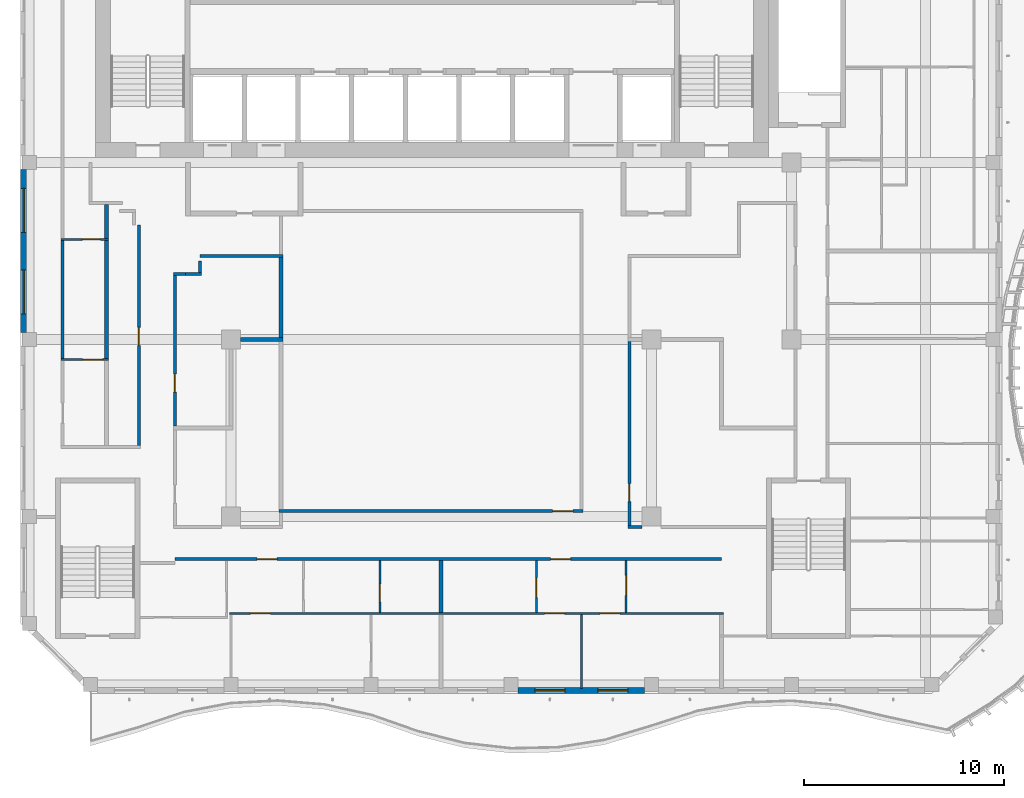
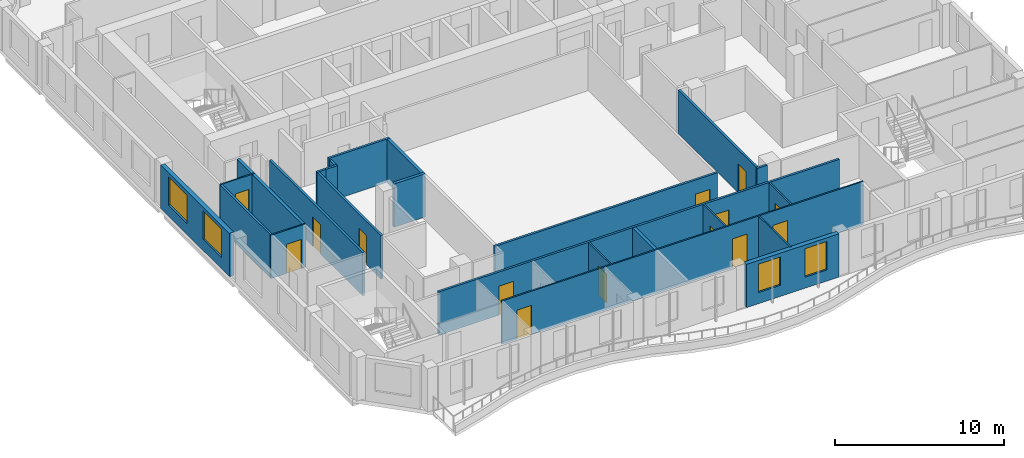
# One storey, part 3 of 18: 25 walls, 14 doors, 4 windows, 18 openings.
"""IFC4 building model written with IfcOpenShell, lengths in metres."""

from ifc_helpers import new_model, si_unit, direction, frame, frame_2d, origin, place, context, subcontext, project, spatial, rectangle, extrude, source, transform, mapped, material, layer, layer_set, type_object, element, fill, save


model = new_model("IFC4")

# Units and contexts
model_context = context("Model", 3, precision=1e-05, world=origin(), true_north=direction((0.0, 1.0)))
body_context = subcontext(model_context, "Body", "Model", "MODEL_VIEW")
ifc_project = project(units=[si_unit("LENGTHUNIT", "METRE"), si_unit("AREAUNIT", "SQUARE_METRE"), si_unit("VOLUMEUNIT", "CUBIC_METRE"), si_unit("PLANEANGLEUNIT", "RADIAN"), si_unit("MASSUNIT", "GRAM", prefix="KILO")], contexts=[model_context])

# Site, building, storey
site_placement = place(None, origin())
site = spatial("IfcSite", under=ifc_project, at=site_placement, CompositionType="ELEMENT")
building_placement = place(site_placement, origin())
building = spatial("IfcBuilding", under=site, at=building_placement, Name="Kilnfold Tower and Market Hall", CompositionType="ELEMENT")
storey_placement = place(building_placement, frame((0.0, 0.0, 256.0)))
storey = spatial("IfcBuildingStorey", under=building, at=storey_placement, Name="L62", CompositionType="ELEMENT", Elevation=256.0)

# Wall
ifc_material_1 = material(Name="Gypsum board on steel studs", Category="steel")
ifc_layer_1 = layer(ifc_material_1, 0.14990234375)
ifc_layer_set_1 = layer_set([ifc_layer_1], Name="Gypsum board on steel studs")
wall_type_1 = type_object("IfcWallType", Name="WALL CORRIDOR 150", PredefinedType="PARTITIONING", material=ifc_layer_set_1)
wall_1_placement = place(storey_placement, frame((-17.39990234375, -1.791015625, 0.0), z_axis=(0.0, 0.0, 1.0), x_axis=(0.0, 1.0, 0.0)))
element("IfcWall", 1, at=wall_1_placement, inside=storey, type_object=wall_type_1, Name="Partition LY38.3", PredefinedType="PARTITIONING", context=body_context, shape_type="SweptSolid", body=[
    extrude(rectangle(XDim=5.925048828125, YDim=0.14990234375, at=frame_2d((2.96240234375, 0.0))), origin(), (0.0, 0.0, 1.0), 3.1201171875),
])

# Wall, openings, doors
wall_2_placement = place(storey_placement, frame((-11.800048828125, -11.800048828125, 0.0), z_axis=(0.0, 0.0, 1.0), x_axis=(1.0, 0.0, 0.0)))
wall_2 = element("IfcWall", 2, at=wall_2_placement, inside=storey, type_object=wall_type_1, Name="Partition LY38.9", PredefinedType="PARTITIONING", context=body_context, shape_type="SweptSolid", body=[
    extrude(rectangle(XDim=27.31005859375, YDim=0.14990234375, at=frame_2d((13.655029296875, 0.0))), origin(), (0.0, 0.0, 1.0), 3.1201171875),
])
opening_1_placement = place(wall_2_placement, frame((4.10400390625, 0.0, 0.0)))
opening_1 = element("IfcOpeningElement", 3, at=opening_1_placement, cuts=wall_2, Name="Opening D1", PredefinedType="OPENING", context=body_context, shape_type="SweptSolid", body=[
    extrude(rectangle(XDim=1.0, YDim=2.10009765625, at=frame_2d((0.5, 1.050048828125))), frame((0.0, 0.0849609375, 0.0), z_axis=(0.0, -1.0, 0.0), x_axis=(1.0, 0.0, 0.0)), (0.0, 0.0, 1.0), 0.169921875),
])
opening_2_placement = place(wall_2_placement, frame((18.76708984375, 0.0, 0.0)))
opening_2 = element("IfcOpeningElement", 4, at=opening_2_placement, cuts=wall_2, Name="Opening D1", PredefinedType="OPENING", context=body_context, shape_type="SweptSolid", body=[
    extrude(rectangle(XDim=1.0, YDim=2.10009765625, at=frame_2d((0.5, 1.050048828125))), frame((0.0, 0.0849609375, 0.0), z_axis=(0.0, -1.0, 0.0), x_axis=(1.0, 0.0, 0.0)), (0.0, 0.0, 1.0), 0.169921875),
])
ifc_material_2 = material(Name="Timber veneer door leaf in steel frame", Category="steel")
door_type_1 = type_object("IfcDoorType", Name="DOOR ENTRY 1000 X2100", OperationType="NOTDEFINED", PredefinedType="DOOR", material=ifc_material_2)
door_1_placement = place(opening_1_placement, origin())
door_1 = element("IfcDoor", 5, at=door_1_placement, inside=storey, type_object=door_type_1, Name="Door D1", OperationType="SINGLE_SWING_RIGHT", OverallHeight=2.10009765625, OverallWidth=1.0, PredefinedType="DOOR", context=body_context, shape_type="SweptSolid", body=[
    extrude(rectangle(XDim=1.0, YDim=2.10009765625, at=frame_2d((0.5, 1.050048828125))), frame((0.0, 0.02490234375, 0.0), z_axis=(0.0, -1.0, 0.0), x_axis=(1.0, 0.0, 0.0)), (0.0, 0.0, 1.0), 0.050048828125),
])
fill(opening_1, door_1)
door_2_placement = place(opening_2_placement, origin())
door_2 = element("IfcDoor", 6, at=door_2_placement, inside=storey, type_object=door_type_1, Name="Door D1", OperationType="SINGLE_SWING_RIGHT", OverallHeight=2.10009765625, OverallWidth=1.0, PredefinedType="DOOR", context=body_context, shape_type="SweptSolid", body=[
    extrude(rectangle(XDim=1.0, YDim=2.10009765625, at=frame_2d((0.5, 1.050048828125))), frame((0.0, 0.02490234375, 0.0), z_axis=(0.0, -1.0, 0.0), x_axis=(1.0, 0.0, 0.0)), (0.0, 0.0, 1.0), 0.050048828125),
])
fill(opening_2, door_2)

# Wall, opening, door
wall_3_placement = place(storey_placement, frame((-13.60009765625, 4.87890625, 0.0), z_axis=(0.0, 0.0, 1.0), x_axis=(0.0, -1.0, 0.0)))
wall_3 = element("IfcWall", 7, at=wall_3_placement, inside=storey, type_object=wall_type_1, Name="Partition LY38.28", PredefinedType="PARTITIONING", context=body_context, shape_type="SweptSolid", body=[
    extrude(rectangle(XDim=11.00390625, YDim=0.14990234375, at=frame_2d((5.501953125, 0.0))), origin(), (0.0, 0.0, 1.0), 3.1201171875),
])
opening_3_placement = place(wall_3_placement, frame((5.10205078125, 0.0, 0.0)))
opening_3 = element("IfcOpeningElement", 8, at=opening_3_placement, cuts=wall_3, Name="Opening D2", PredefinedType="OPENING", context=body_context, shape_type="SweptSolid", body=[
    extrude(rectangle(XDim=0.89990234375, YDim=2.10009765625, at=frame_2d((0.449951171875, 1.050048828125))), frame((0.0, 0.0849609375, 0.0), z_axis=(0.0, -1.0, 0.0), x_axis=(1.0, 0.0, 0.0)), (0.0, 0.0, 1.0), 0.169921875),
])
ifc_material_3 = material(Name="Timber veneer door leaf in steel frame", Category="steel")
door_type_2 = type_object("IfcDoorType", Name="DOOR ROOM 900 X2100", OperationType="NOTDEFINED", PredefinedType="DOOR", material=ifc_material_3)
door_3_placement = place(opening_3_placement, origin())
door_3 = element("IfcDoor", 9, at=door_3_placement, inside=storey, type_object=door_type_2, Name="Door D2", OperationType="SINGLE_SWING_RIGHT", OverallHeight=2.10009765625, OverallWidth=0.89990234375, PredefinedType="DOOR", context=body_context, shape_type="SweptSolid", body=[
    extrude(rectangle(XDim=0.89990234375, YDim=2.10009765625, at=frame_2d((0.449951171875, 1.050048828125))), frame((0.0, 0.02490234375, 0.0), z_axis=(0.0, -1.0, 0.0), x_axis=(1.0, 0.0, 0.0)), (0.0, 0.0, 1.0), 0.050048828125),
])
fill(opening_3, door_3)

# Walls
wall_4_placement = place(storey_placement, frame((-10.5458984375, 3.35009765625, 0.0), z_axis=(0.0, 0.0, 1.0), x_axis=(1.0, 0.0, 0.0)))
element("IfcWall", 10, at=wall_4_placement, inside=storey, type_object=wall_type_1, Name="Partition LY38.31", PredefinedType="PARTITIONING", context=body_context, shape_type="SweptSolid", body=[
    extrude(rectangle(XDim=4.14599609375, YDim=0.14990234375, at=frame_2d((2.072998046875, 0.0))), origin(), (0.0, 0.0, 1.0), 3.1201171875),
])
wall_5_placement = place(storey_placement, frame((-10.5439453125, 2.52294921875, 0.0), z_axis=(0.0, 0.0, 1.0), x_axis=(0.0, 1.0, 0.0)))
element("IfcWall", 11, at=wall_5_placement, inside=storey, type_object=wall_type_1, Name="Partition LY38.32", PredefinedType="PARTITIONING", context=body_context, shape_type="SweptSolid", body=[
    extrude(rectangle(XDim=0.570068359375, YDim=0.14990234375, at=frame_2d((0.28515625, 0.0))), origin(), (0.0, 0.0, 1.0), 3.1201171875),
])
wall_6_placement = place(storey_placement, frame((-11.261962890625, 2.447998046875, 0.0), z_axis=(0.0, 0.0, 1.0), x_axis=(1.0, 0.0, 0.0)))
element("IfcWall", 12, at=wall_6_placement, inside=storey, type_object=wall_type_1, Name="Partition LY38.33", PredefinedType="PARTITIONING", context=body_context, shape_type="SweptSolid", body=[
    extrude(rectangle(XDim=0.79296875, YDim=0.14990234375, at=frame_2d((0.396484375, 0.0))), origin(), (0.0, 0.0, 1.0), 3.1201171875),
])
wall_7_placement = place(storey_placement, frame((-11.875, 2.449951171875, 0.0), z_axis=(0.0, 0.0, 1.0), x_axis=(1.0, 0.0, 0.0)))
element("IfcWall", 13, at=wall_7_placement, inside=storey, type_object=wall_type_1, Name="Partition LY38.34", PredefinedType="PARTITIONING", context=body_context, shape_type="SweptSolid", body=[
    extrude(rectangle(XDim=0.613037109375, YDim=0.14990234375, at=frame_2d((0.306640625, 0.0))), origin(), (0.0, 0.0, 1.0), 3.1201171875),
])

# Wall, opening, door
wall_8_placement = place(storey_placement, frame((-11.800048828125, -5.159912109375, 0.0), z_axis=(0.0, 0.0, 1.0), x_axis=(0.0, 1.0, 0.0)))
wall_8 = element("IfcWall", 14, at=wall_8_placement, inside=storey, type_object=wall_type_1, Name="Partition LY38.35", PredefinedType="PARTITIONING", context=body_context, shape_type="SweptSolid", body=[
    extrude(rectangle(XDim=7.534912109375, YDim=0.14990234375, at=frame_2d((3.767578125, 0.0))), origin(), (0.0, 0.0, 1.0), 3.1201171875),
])
opening_4_placement = place(wall_8_placement, frame((1.7080078125, 0.0, 0.0)))
opening_4 = element("IfcOpeningElement", 15, at=opening_4_placement, cuts=wall_8, Name="Opening D2", PredefinedType="OPENING", context=body_context, shape_type="SweptSolid", body=[
    extrude(rectangle(XDim=0.89990234375, YDim=2.10009765625, at=frame_2d((0.449951171875, 1.050048828125))), frame((0.0, 0.0849609375, 0.0), z_axis=(0.0, -1.0, 0.0), x_axis=(1.0, 0.0, 0.0)), (0.0, 0.0, 1.0), 0.169921875),
])
door_4_placement = place(opening_4_placement, origin())
door_4 = element("IfcDoor", 16, at=door_4_placement, inside=storey, type_object=door_type_2, Name="Door D2", OperationType="SINGLE_SWING_RIGHT", OverallHeight=2.10009765625, OverallWidth=0.89990234375, PredefinedType="DOOR", context=body_context, shape_type="SweptSolid", body=[
    extrude(rectangle(XDim=0.89990234375, YDim=2.10009765625, at=frame_2d((0.449951171875, 1.050048828125))), frame((0.0, 0.02490234375, 0.0), z_axis=(0.0, -1.0, 0.0), x_axis=(1.0, 0.0, 0.0)), (0.0, 0.0, 1.0), 0.050048828125),
])
fill(opening_4, door_4)

wall_9_placement = place(storey_placement, frame((10.89990234375, -10.125, 0.0), z_axis=(0.0, 0.0, 1.0), x_axis=(0.0, 1.0, 0.0)))
wall_9 = element("IfcWall", 17, at=wall_9_placement, inside=storey, type_object=wall_type_1, Name="Partition LY38.41", PredefinedType="PARTITIONING", context=body_context, shape_type="SweptSolid", body=[
    extrude(rectangle(XDim=9.201904296875, YDim=0.14990234375, at=frame_2d((4.60107421875, 0.0))), origin(), (0.0, 0.0, 1.0), 3.1201171875),
])
opening_5_placement = place(wall_9_placement, frame((1.199951171875, 0.0, 0.0)))
opening_5 = element("IfcOpeningElement", 18, at=opening_5_placement, cuts=wall_9, Name="Opening D2", PredefinedType="OPENING", context=body_context, shape_type="SweptSolid", body=[
    extrude(rectangle(XDim=0.89990234375, YDim=2.10009765625, at=frame_2d((0.449951171875, 1.050048828125))), frame((0.0, 0.0849609375, 0.0), z_axis=(0.0, -1.0, 0.0), x_axis=(1.0, 0.0, 0.0)), (0.0, 0.0, 1.0), 0.169921875),
])
door_5_placement = place(opening_5_placement, origin())
door_5 = element("IfcDoor", 19, at=door_5_placement, inside=storey, type_object=door_type_2, Name="Door D2", OperationType="SINGLE_SWING_LEFT", OverallHeight=2.10009765625, OverallWidth=0.89990234375, PredefinedType="DOOR", context=body_context, shape_type="SweptSolid", body=[
    extrude(rectangle(XDim=0.89990234375, YDim=2.10009765625, at=frame_2d((0.449951171875, 1.050048828125))), frame((0.0, 0.02490234375, 0.0), z_axis=(0.0, -1.0, 0.0), x_axis=(1.0, 0.0, 0.0)), (0.0, 0.0, 1.0), 0.050048828125),
])
fill(opening_5, door_5)

# Wall
wall_10_placement = place(storey_placement, frame((10.824951171875, -10.199951171875, 0.0), z_axis=(0.0, 0.0, 1.0), x_axis=(1.0, 0.0, 0.0)))
element("IfcWall", 20, at=wall_10_placement, inside=storey, type_object=wall_type_1, Name="Partition LY38.43", PredefinedType="PARTITIONING", context=body_context, shape_type="SweptSolid", body=[
    extrude(rectangle(XDim=0.699951171875, YDim=0.14990234375, at=frame_2d((0.35009765625, 0.0))), origin(), (0.0, 0.0, 1.0), 3.1201171875),
])

# Wall, opening, door
wall_11_placement = place(storey_placement, frame((8.574951171875, -9.39990234375, 0.0), z_axis=(0.0, 0.0, 1.0), x_axis=(-1.0, 0.0, 0.0)))
wall_11 = element("IfcWall", 21, at=wall_11_placement, inside=storey, type_object=wall_type_1, Name="Partition LY38.51", PredefinedType="PARTITIONING", context=body_context, shape_type="SweptSolid", body=[
    extrude(rectangle(XDim=15.175048828125, YDim=0.14990234375, at=frame_2d((7.58740234375, 0.0))), origin(), (0.0, 0.0, 1.0), 3.1201171875),
])
opening_6_placement = place(wall_11_placement, frame((0.501953125, 0.0, 0.0)))
opening_6 = element("IfcOpeningElement", 22, at=opening_6_placement, cuts=wall_11, Name="Opening D1", PredefinedType="OPENING", context=body_context, shape_type="SweptSolid", body=[
    extrude(rectangle(XDim=1.0, YDim=2.10009765625, at=frame_2d((0.5, 1.050048828125))), frame((0.0, 0.0849609375, 0.0), z_axis=(0.0, -1.0, 0.0), x_axis=(1.0, 0.0, 0.0)), (0.0, 0.0, 1.0), 0.169921875),
])
door_6_placement = place(opening_6_placement, origin())
door_6 = element("IfcDoor", 23, at=door_6_placement, inside=storey, type_object=door_type_1, Name="Door D1", OperationType="SINGLE_SWING_LEFT", OverallHeight=2.10009765625, OverallWidth=1.0, PredefinedType="DOOR", context=body_context, shape_type="SweptSolid", body=[
    extrude(rectangle(XDim=1.0, YDim=2.10009765625, at=frame_2d((0.5, 1.050048828125))), frame((0.0, 0.02490234375, 0.0), z_axis=(0.0, -1.0, 0.0), x_axis=(1.0, 0.0, 0.0)), (0.0, 0.0, 1.0), 0.050048828125),
])
fill(opening_6, door_6)

ifc_material_4 = material(Name="Gypsum board on steel studs", Category="steel")
ifc_layer_2 = layer(ifc_material_4, 0.10009765625)
ifc_layer_set_2 = layer_set([ifc_layer_2], Name="Gypsum board on steel studs")
wall_type_2 = type_object("IfcWallType", Name="WALL PARTITION 100", PredefinedType="PARTITIONING", material=ifc_layer_set_2)
wall_12_placement = place(storey_placement, frame((-15.10009765625, -1.8310546875, 0.0), z_axis=(0.0, 0.0, 1.0), x_axis=(-1.0, 0.0, 0.0)))
wall_12 = element("IfcWall", 24, at=wall_12_placement, inside=storey, type_object=wall_type_2, Name="Partition LY38.54", PredefinedType="PARTITIONING", context=body_context, shape_type="SweptSolid", body=[
    extrude(rectangle(XDim=2.372802734375, YDim=0.10009765625, at=frame_2d((1.1865234375, 0.0))), origin(), (0.0, 0.0, 1.0), 3.1201171875),
])
opening_7_placement = place(wall_12_placement, frame((0.30810546875, 0.0, 0.0)))
opening_7 = element("IfcOpeningElement", 25, at=opening_7_placement, cuts=wall_12, Name="Opening D1", PredefinedType="OPENING", context=body_context, shape_type="SweptSolid", body=[
    extrude(rectangle(XDim=1.0, YDim=2.10009765625, at=frame_2d((0.5, 1.050048828125))), frame((0.0, 0.06005859375, 0.0), z_axis=(0.0, -1.0, 0.0), x_axis=(1.0, 0.0, 0.0)), (0.0, 0.0, 1.0), 0.1201171875),
])
door_7_placement = place(opening_7_placement, origin())
door_7 = element("IfcDoor", 26, at=door_7_placement, inside=storey, type_object=door_type_1, Name="Door D1", OperationType="SINGLE_SWING_RIGHT", OverallHeight=2.10009765625, OverallWidth=1.0, PredefinedType="DOOR", context=body_context, shape_type="SweptSolid", body=[
    extrude(rectangle(XDim=1.0, YDim=2.10009765625, at=frame_2d((0.5, 1.050048828125))), frame((0.0, 0.02490234375, 0.0), z_axis=(0.0, -1.0, 0.0), x_axis=(1.0, 0.0, 0.0)), (0.0, 0.0, 1.0), 0.050048828125),
])
fill(opening_7, door_7)

wall_13_placement = place(storey_placement, frame((-15.10009765625, 4.174072265625, 0.0), z_axis=(0.0, 0.0, 1.0), x_axis=(-1.0, 0.0, 0.0)))
wall_13 = element("IfcWall", 27, at=wall_13_placement, inside=storey, type_object=wall_type_2, Name="Partition LY38.56", PredefinedType="PARTITIONING", context=body_context, shape_type="SweptSolid", body=[
    extrude(rectangle(XDim=2.372802734375, YDim=0.10009765625, at=frame_2d((1.1865234375, 0.0))), origin(), (0.0, 0.0, 1.0), 3.1201171875),
])
opening_8_placement = place(wall_13_placement, frame((0.4150390625, 0.0, 0.0)))
opening_8 = element("IfcOpeningElement", 28, at=opening_8_placement, cuts=wall_13, Name="Opening D2", PredefinedType="OPENING", context=body_context, shape_type="SweptSolid", body=[
    extrude(rectangle(XDim=0.89990234375, YDim=2.10009765625, at=frame_2d((0.449951171875, 1.050048828125))), frame((0.0, 0.06005859375, 0.0), z_axis=(0.0, -1.0, 0.0), x_axis=(1.0, 0.0, 0.0)), (0.0, 0.0, 1.0), 0.1201171875),
])
door_8_placement = place(opening_8_placement, origin())
door_8 = element("IfcDoor", 29, at=door_8_placement, inside=storey, type_object=door_type_2, Name="Door D2", OperationType="SINGLE_SWING_LEFT", OverallHeight=2.10009765625, OverallWidth=0.89990234375, PredefinedType="DOOR", context=body_context, shape_type="SweptSolid", body=[
    extrude(rectangle(XDim=0.89990234375, YDim=2.10009765625, at=frame_2d((0.449951171875, 1.050048828125))), frame((0.0, 0.02490234375, 0.0), z_axis=(0.0, -1.0, 0.0), x_axis=(1.0, 0.0, 0.0)), (0.0, 0.0, 1.0), 0.050048828125),
])
fill(opening_8, door_8)

# Wall, openings, doors
wall_14_placement = place(storey_placement, frame((-9.06005859375, -14.5, 0.0), z_axis=(0.0, 0.0, 1.0), x_axis=(1.0, 0.0, 0.0)))
wall_14 = element("IfcWall", 30, at=wall_14_placement, inside=storey, type_object=wall_type_2, Name="Partition LY38.63", PredefinedType="PARTITIONING", context=body_context, shape_type="SweptSolid", body=[
    extrude(rectangle(XDim=24.66015625, YDim=0.10009765625, at=frame_2d((12.330078125, 0.0))), origin(), (0.0, 0.0, 1.0), 3.1201171875),
])
opening_9_placement = place(wall_14_placement, frame((1.027099609375, 0.0, 0.0)))
opening_9 = element("IfcOpeningElement", 31, at=opening_9_placement, cuts=wall_14, Name="Opening D1", PredefinedType="OPENING", context=body_context, shape_type="SweptSolid", body=[
    extrude(rectangle(XDim=1.0, YDim=2.10009765625, at=frame_2d((0.5, 1.050048828125))), frame((0.0, 0.06005859375, 0.0), z_axis=(0.0, -1.0, 0.0), x_axis=(1.0, 0.0, 0.0)), (0.0, 0.0, 1.0), 0.1201171875),
])
opening_10_placement = place(wall_14_placement, frame((15.73193359375, 0.0, 0.0)))
opening_10 = element("IfcOpeningElement", 32, at=opening_10_placement, cuts=wall_14, Name="Opening D1", PredefinedType="OPENING", context=body_context, shape_type="SweptSolid", body=[
    extrude(rectangle(XDim=1.0, YDim=2.10009765625, at=frame_2d((0.5, 1.050048828125))), frame((0.0, 0.06005859375, 0.0), z_axis=(0.0, -1.0, 0.0), x_axis=(1.0, 0.0, 0.0)), (0.0, 0.0, 1.0), 0.1201171875),
])
opening_11_placement = place(wall_14_placement, frame((18.493896484375, 0.0, 0.0)))
opening_11 = element("IfcOpeningElement", 33, at=opening_11_placement, cuts=wall_14, Name="Opening D1", PredefinedType="OPENING", context=body_context, shape_type="SweptSolid", body=[
    extrude(rectangle(XDim=1.0, YDim=2.10009765625, at=frame_2d((0.5, 1.050048828125))), frame((0.0, 0.06005859375, 0.0), z_axis=(0.0, -1.0, 0.0), x_axis=(1.0, 0.0, 0.0)), (0.0, 0.0, 1.0), 0.1201171875),
])
door_9_placement = place(opening_9_placement, origin())
door_9 = element("IfcDoor", 34, at=door_9_placement, inside=storey, type_object=door_type_1, Name="Door D1", OperationType="SINGLE_SWING_LEFT", OverallHeight=2.10009765625, OverallWidth=1.0, PredefinedType="DOOR", context=body_context, shape_type="SweptSolid", body=[
    extrude(rectangle(XDim=1.0, YDim=2.10009765625, at=frame_2d((0.5, 1.050048828125))), frame((0.0, 0.02490234375, 0.0), z_axis=(0.0, -1.0, 0.0), x_axis=(1.0, 0.0, 0.0)), (0.0, 0.0, 1.0), 0.050048828125),
])
fill(opening_9, door_9)
door_10_placement = place(opening_10_placement, origin())
door_10 = element("IfcDoor", 35, at=door_10_placement, inside=storey, type_object=door_type_1, Name="Door D1", OperationType="SINGLE_SWING_LEFT", OverallHeight=2.10009765625, OverallWidth=1.0, PredefinedType="DOOR", context=body_context, shape_type="SweptSolid", body=[
    extrude(rectangle(XDim=1.0, YDim=2.10009765625, at=frame_2d((0.5, 1.050048828125))), frame((0.0, 0.02490234375, 0.0), z_axis=(0.0, -1.0, 0.0), x_axis=(1.0, 0.0, 0.0)), (0.0, 0.0, 1.0), 0.050048828125),
])
fill(opening_10, door_10)
door_11_placement = place(opening_11_placement, origin())
door_11 = element("IfcDoor", 36, at=door_11_placement, inside=storey, type_object=door_type_1, Name="Door D1", OperationType="SINGLE_SWING_RIGHT", OverallHeight=2.10009765625, OverallWidth=1.0, PredefinedType="DOOR", context=body_context, shape_type="SweptSolid", body=[
    extrude(rectangle(XDim=1.0, YDim=2.10009765625, at=frame_2d((0.5, 1.050048828125))), frame((0.0, 0.02490234375, 0.0), z_axis=(0.0, -1.0, 0.0), x_axis=(1.0, 0.0, 0.0)), (0.0, 0.0, 1.0), 0.050048828125),
])
fill(opening_11, door_11)

# Wall, opening, door
wall_15_placement = place(storey_placement, frame((-1.56005859375, -14.449951171875, 0.0), z_axis=(0.0, 0.0, 1.0), x_axis=(0.0, 1.0, 0.0)))
wall_15 = element("IfcWall", 37, at=wall_15_placement, inside=storey, type_object=wall_type_2, Name="Partition LY38.64", PredefinedType="PARTITIONING", context=body_context, shape_type="SweptSolid", body=[
    extrude(rectangle(XDim=2.572998046875, YDim=0.10009765625, at=frame_2d((1.28662109375, 0.0))), origin(), (0.0, 0.0, 1.0), 3.1201171875),
])
opening_12_placement = place(wall_15_placement, frame((0.51806640625, 0.0, 0.0)))
opening_12 = element("IfcOpeningElement", 38, at=opening_12_placement, cuts=wall_15, Name="Opening D2", PredefinedType="OPENING", context=body_context, shape_type="SweptSolid", body=[
    extrude(rectangle(XDim=0.89990234375, YDim=2.10009765625, at=frame_2d((0.449951171875, 1.050048828125))), frame((0.0, 0.06005859375, 0.0), z_axis=(0.0, -1.0, 0.0), x_axis=(1.0, 0.0, 0.0)), (0.0, 0.0, 1.0), 0.1201171875),
])
door_12_placement = place(opening_12_placement, origin())
door_12 = element("IfcDoor", 39, at=door_12_placement, inside=storey, type_object=door_type_2, Name="Door D2", OperationType="SINGLE_SWING_RIGHT", OverallHeight=2.10009765625, OverallWidth=0.89990234375, PredefinedType="DOOR", context=body_context, shape_type="SweptSolid", body=[
    extrude(rectangle(XDim=0.89990234375, YDim=2.10009765625, at=frame_2d((0.449951171875, 1.050048828125))), frame((0.0, 0.02490234375, 0.0), z_axis=(0.0, -1.0, 0.0), x_axis=(1.0, 0.0, 0.0)), (0.0, 0.0, 1.0), 0.050048828125),
])
fill(opening_12, door_12)

wall_16_placement = place(storey_placement, frame((6.260009765625, -14.449951171875, 0.0), z_axis=(0.0, 0.0, 1.0), x_axis=(0.0, 1.0, 0.0)))
wall_16 = element("IfcWall", 40, at=wall_16_placement, inside=storey, type_object=wall_type_2, Name="Partition LY38.69", PredefinedType="PARTITIONING", context=body_context, shape_type="SweptSolid", body=[
    extrude(rectangle(XDim=2.572998046875, YDim=0.10009765625, at=frame_2d((1.28662109375, 0.0))), origin(), (0.0, 0.0, 1.0), 3.1201171875),
])
opening_13_placement = place(wall_16_placement, frame((0.73291015625, 0.0, 0.0)))
opening_13 = element("IfcOpeningElement", 41, at=opening_13_placement, cuts=wall_16, Name="Opening D1", PredefinedType="OPENING", context=body_context, shape_type="SweptSolid", body=[
    extrude(rectangle(XDim=1.0, YDim=2.10009765625, at=frame_2d((0.5, 1.050048828125))), frame((0.0, 0.06005859375, 0.0), z_axis=(0.0, -1.0, 0.0), x_axis=(1.0, 0.0, 0.0)), (0.0, 0.0, 1.0), 0.1201171875),
])
door_13_placement = place(opening_13_placement, origin())
door_13 = element("IfcDoor", 42, at=door_13_placement, inside=storey, type_object=door_type_1, Name="Door D1", OperationType="SINGLE_SWING_LEFT", OverallHeight=2.10009765625, OverallWidth=1.0, PredefinedType="DOOR", context=body_context, shape_type="SweptSolid", body=[
    extrude(rectangle(XDim=1.0, YDim=2.10009765625, at=frame_2d((0.5, 1.050048828125))), frame((0.0, 0.02490234375, 0.0), z_axis=(0.0, -1.0, 0.0), x_axis=(1.0, 0.0, 0.0)), (0.0, 0.0, 1.0), 0.050048828125),
])
fill(opening_13, door_13)

wall_17_placement = place(storey_placement, frame((10.739990234375, -14.449951171875, 0.0), z_axis=(0.0, 0.0, 1.0), x_axis=(0.0, 1.0, 0.0)))
wall_17 = element("IfcWall", 43, at=wall_17_placement, inside=storey, type_object=wall_type_2, Name="Partition LY38.70", PredefinedType="PARTITIONING", context=body_context, shape_type="SweptSolid", body=[
    extrude(rectangle(XDim=2.572998046875, YDim=0.10009765625, at=frame_2d((1.28662109375, 0.0))), origin(), (0.0, 0.0, 1.0), 3.1201171875),
])
opening_14_placement = place(wall_17_placement, frame((0.840087890625, 0.0, 0.0)))
opening_14 = element("IfcOpeningElement", 44, at=opening_14_placement, cuts=wall_17, Name="Opening D1", PredefinedType="OPENING", context=body_context, shape_type="SweptSolid", body=[
    extrude(rectangle(XDim=1.0, YDim=2.10009765625, at=frame_2d((0.5, 1.050048828125))), frame((0.0, 0.06005859375, 0.0), z_axis=(0.0, -1.0, 0.0), x_axis=(1.0, 0.0, 0.0)), (0.0, 0.0, 1.0), 0.1201171875),
])
door_14_placement = place(opening_14_placement, origin())
door_14 = element("IfcDoor", 45, at=door_14_placement, inside=storey, type_object=door_type_1, Name="Door D1", OperationType="SINGLE_SWING_LEFT", OverallHeight=2.10009765625, OverallWidth=1.0, PredefinedType="DOOR", context=body_context, shape_type="SweptSolid", body=[
    extrude(rectangle(XDim=1.0, YDim=2.10009765625, at=frame_2d((0.5, 1.050048828125))), frame((0.0, 0.02490234375, 0.0), z_axis=(0.0, -1.0, 0.0), x_axis=(1.0, 0.0, 0.0)), (0.0, 0.0, 1.0), 0.050048828125),
])
fill(opening_14, door_14)

# Walls
wall_18_placement = place(storey_placement, frame((8.5, -18.25, 0.0), z_axis=(0.0, 0.0, 1.0), x_axis=(0.0, 1.0, 0.0)))
element("IfcWall", 46, at=wall_18_placement, inside=storey, type_object=wall_type_2, Name="Partition LY38.71", PredefinedType="PARTITIONING", context=body_context, shape_type="SweptSolid", body=[
    extrude(rectangle(XDim=3.697998046875, YDim=0.10009765625, at=frame_2d((1.84912109375, 0.0))), origin(), (0.0, 0.0, 1.0), 3.1201171875),
])
ifc_material_5 = material(Name="Gypsum board on steel studs", Category="steel")
ifc_layer_3 = layer(ifc_material_5, 0.199951171875)
ifc_layer_set_3 = layer_set([ifc_layer_3], Name="Gypsum board on steel studs")
wall_type_3 = type_object("IfcWallType", Name="WALL PARTY 200", PredefinedType="PARTITIONING", material=ifc_layer_set_3)
wall_19_placement = place(storey_placement, frame((-15.199951171875, -1.781005859375, 0.0), z_axis=(0.0, 0.0, 1.0), x_axis=(0.0, 1.0, 0.0)))
element("IfcWall", 47, at=wall_19_placement, inside=storey, type_object=wall_type_3, Name="Partition LY38.57", PredefinedType="PARTITIONING", context=body_context, shape_type="SweptSolid", body=[
    extrude(rectangle(XDim=5.905029296875, YDim=0.199951171875, at=frame_2d((2.95263671875, 0.0))), origin(), (0.0, 0.0, 1.0), 3.1201171875),
])
wall_20_placement = place(storey_placement, frame((-15.199951171875, 4.22412109375, 0.0), z_axis=(0.0, 0.0, 1.0), x_axis=(0.0, 1.0, 0.0)))
element("IfcWall", 48, at=wall_20_placement, inside=storey, type_object=wall_type_3, Name="Partition LY38.59", PredefinedType="PARTITIONING", context=body_context, shape_type="SweptSolid", body=[
    extrude(rectangle(XDim=1.698974609375, YDim=0.199951171875, at=frame_2d((0.849609375, 0.0))), origin(), (0.0, 0.0, 1.0), 3.1201171875),
])
wall_21_placement = place(storey_placement, frame((1.5, -14.449951171875, 0.0), z_axis=(0.0, 0.0, 1.0), x_axis=(0.0, 1.0, 0.0)))
element("IfcWall", 49, at=wall_21_placement, inside=storey, type_object=wall_type_3, Name="Partition LY38.65", PredefinedType="PARTITIONING", context=body_context, shape_type="SweptSolid", body=[
    extrude(rectangle(XDim=2.572998046875, YDim=0.199951171875, at=frame_2d((1.28662109375, 0.0))), origin(), (0.0, 0.0, 1.0), 3.1201171875),
])
wall_22_placement = place(storey_placement, frame((-8.52490234375, -0.8330078125, 0.0), z_axis=(0.0, 0.0, 1.0), x_axis=(1.0, 0.0, 0.0)))
element("IfcWall", 50, at=wall_22_placement, inside=storey, type_object=wall_type_3, Name="Partition LY38.104", PredefinedType="PARTITIONING", context=body_context, shape_type="SweptSolid", body=[
    extrude(rectangle(XDim=2.125, YDim=0.199951171875, at=frame_2d((1.0625, 0.0))), origin(), (0.0, 0.0, 1.0), 3.1201171875),
])
wall_23_placement = place(storey_placement, frame((-6.5, -0.73291015625, 0.0), z_axis=(0.0, 0.0, 1.0), x_axis=(0.0, 1.0, 0.0)))
element("IfcWall", 51, at=wall_23_placement, inside=storey, type_object=wall_type_3, Name="Partition LY38.107", PredefinedType="PARTITIONING", context=body_context, shape_type="SweptSolid", body=[
    extrude(rectangle(XDim=4.005859375, YDim=0.199951171875, at=frame_2d((2.0029296875, 0.0))), origin(), (0.0, 0.0, 1.0), 3.1201171875),
])

# Wall, openings, windows
ifc_material_6 = material(Name="Precast concrete C50/60", Category="concrete")
ifc_layer_4 = layer(ifc_material_6, 0.300048828125)
ifc_layer_set_4 = layer_set([ifc_layer_4], Name="Precast concrete C50/60")
wall_type_4 = type_object("IfcWallType", Name="PRECAST WALL 300", PredefinedType="SOLIDWALL", material=ifc_layer_set_4)
shared_shape_1 = source(origin(), body_context, "Body", "SweptSolid", [
    extrude(rectangle(XDim=6.2998046875, YDim=0.300048828125, at=frame_2d((3.14990234375, 0.0))), origin(), (0.0, 0.0, 1.0), 3.1201171875),
])
wall_24_placement = place(storey_placement, frame((5.35009765625, -18.35009765625, 0.0), z_axis=(0.0, 0.0, 1.0), x_axis=(1.0, 0.0, 0.0)))
wall_24 = element("IfcWall", 52, at=wall_24_placement, inside=storey, type_object=wall_type_4, Name="External wall L62 S", PredefinedType="SOLIDWALL", context=body_context, shape_type="MappedRepresentation", body=[
    mapped(shared_shape_1, transform((0.0, 0.0, 0.0))),
])
opening_15_placement = place(wall_24_placement, frame((0.824951171875, 0.0, 0.800048828125)))
opening_15 = element("IfcOpeningElement", 53, at=opening_15_placement, cuts=wall_24, Name="Opening W5", PredefinedType="OPENING", context=body_context, shape_type="SweptSolid", body=[
    extrude(rectangle(XDim=1.5, YDim=2.050048828125, at=frame_2d((0.75, 1.02490234375))), frame((0.0, 0.16015625, 0.0), z_axis=(0.0, -1.0, 0.0), x_axis=(1.0, 0.0, 0.0)), (0.0, 0.0, 1.0), 0.320068359375),
])
opening_16_placement = place(wall_24_placement, frame((3.97509765625, 0.0, 0.800048828125)))
opening_16 = element("IfcOpeningElement", 54, at=opening_16_placement, cuts=wall_24, Name="Opening W5", PredefinedType="OPENING", context=body_context, shape_type="SweptSolid", body=[
    extrude(rectangle(XDim=1.5, YDim=2.050048828125, at=frame_2d((0.75, 1.02490234375))), frame((0.0, 0.16015625, 0.0), z_axis=(0.0, -1.0, 0.0), x_axis=(1.0, 0.0, 0.0)), (0.0, 0.0, 1.0), 0.320068359375),
])
ifc_material_7 = material(Name="Aluminium frame and double glazing", Category="aluminium")
window_type_1 = type_object("IfcWindowType", Name="WINDOW W5 1500X2050", PartitioningType="SINGLE_PANEL", PredefinedType="WINDOW", material=ifc_material_7)
window_1_placement = place(opening_15_placement, origin())
window_1 = element("IfcWindow", 55, at=window_1_placement, inside=storey, type_object=window_type_1, Name="Window W5 L62 S-1", OverallHeight=2.050048828125, OverallWidth=1.5, PartitioningType="SINGLE_PANEL", PredefinedType="WINDOW", context=body_context, shape_type="SweptSolid", body=[
    extrude(rectangle(XDim=1.5, YDim=2.050048828125, at=frame_2d((0.75, 1.02490234375))), frame((0.0, 0.030029296875, 0.0), z_axis=(0.0, -1.0, 0.0), x_axis=(1.0, 0.0, 0.0)), (0.0, 0.0, 1.0), 0.06005859375),
])
fill(opening_15, window_1)
window_2_placement = place(opening_16_placement, origin())
window_2 = element("IfcWindow", 56, at=window_2_placement, inside=storey, type_object=window_type_1, Name="Window W5 L62 S-2", OverallHeight=2.050048828125, OverallWidth=1.5, PartitioningType="SINGLE_PANEL", PredefinedType="WINDOW", context=body_context, shape_type="SweptSolid", body=[
    extrude(rectangle(XDim=1.5, YDim=2.050048828125, at=frame_2d((0.75, 1.02490234375))), frame((0.0, 0.030029296875, 0.0), z_axis=(0.0, -1.0, 0.0), x_axis=(1.0, 0.0, 0.0)), (0.0, 0.0, 1.0), 0.06005859375),
])
fill(opening_16, window_2)

shared_shape_2 = source(origin(), body_context, "Body", "SweptSolid", [
    extrude(rectangle(XDim=8.13330078125, YDim=0.300048828125, at=frame_2d((4.066650390625, 0.0))), origin(), (0.0, 0.0, 1.0), 3.1201171875),
])
wall_25_placement = place(storey_placement, frame((-19.35009765625, 7.64990234375, 0.0), z_axis=(0.0, 0.0, 1.0), x_axis=(0.0, -1.0, 0.0)))
wall_25 = element("IfcWall", 57, at=wall_25_placement, inside=storey, type_object=wall_type_4, Name="External wall L62 W", PredefinedType="SOLIDWALL", context=body_context, shape_type="MappedRepresentation", body=[
    mapped(shared_shape_2, transform((0.0, 0.0, 0.0))),
])
opening_17_placement = place(wall_25_placement, frame((0.933349609375, 0.0, 0.800048828125)))
opening_17 = element("IfcOpeningElement", 58, at=opening_17_placement, cuts=wall_25, Name="Opening W3", PredefinedType="OPENING", context=body_context, shape_type="SweptSolid", body=[
    extrude(rectangle(XDim=2.199951171875, YDim=2.050048828125, at=frame_2d((1.10009765625, 1.02490234375))), frame((0.0, 0.16015625, 0.0), z_axis=(0.0, -1.0, 0.0), x_axis=(1.0, 0.0, 0.0)), (0.0, 0.0, 1.0), 0.320068359375),
])
opening_18_placement = place(wall_25_placement, frame((5.0, 0.0, 0.800048828125)))
opening_18 = element("IfcOpeningElement", 59, at=opening_18_placement, cuts=wall_25, Name="Opening W3", PredefinedType="OPENING", context=body_context, shape_type="SweptSolid", body=[
    extrude(rectangle(XDim=2.199951171875, YDim=2.050048828125, at=frame_2d((1.10009765625, 1.02490234375))), frame((0.0, 0.16015625, 0.0), z_axis=(0.0, -1.0, 0.0), x_axis=(1.0, 0.0, 0.0)), (0.0, 0.0, 1.0), 0.320068359375),
])
ifc_material_8 = material(Name="Aluminium frame and double glazing", Category="aluminium")
window_type_2 = type_object("IfcWindowType", Name="WINDOW W3 2200X2050", PartitioningType="SINGLE_PANEL", PredefinedType="WINDOW", material=ifc_material_8)
window_3_placement = place(opening_17_placement, origin())
window_3 = element("IfcWindow", 60, at=window_3_placement, inside=storey, type_object=window_type_2, Name="Window W3 L62 W-1", OverallHeight=2.050048828125, OverallWidth=2.199951171875, PartitioningType="SINGLE_PANEL", PredefinedType="WINDOW", context=body_context, shape_type="SweptSolid", body=[
    extrude(rectangle(XDim=2.199951171875, YDim=2.050048828125, at=frame_2d((1.10009765625, 1.02490234375))), frame((0.0, 0.030029296875, 0.0), z_axis=(0.0, -1.0, 0.0), x_axis=(1.0, 0.0, 0.0)), (0.0, 0.0, 1.0), 0.06005859375),
])
fill(opening_17, window_3)
window_4_placement = place(opening_18_placement, origin())
window_4 = element("IfcWindow", 61, at=window_4_placement, inside=storey, type_object=window_type_2, Name="Window W3 L62 W-2", OverallHeight=2.050048828125, OverallWidth=2.199951171875, PartitioningType="SINGLE_PANEL", PredefinedType="WINDOW", context=body_context, shape_type="SweptSolid", body=[
    extrude(rectangle(XDim=2.199951171875, YDim=2.050048828125, at=frame_2d((1.10009765625, 1.02490234375))), frame((0.0, 0.030029296875, 0.0), z_axis=(0.0, -1.0, 0.0), x_axis=(1.0, 0.0, 0.0)), (0.0, 0.0, 1.0), 0.06005859375),
])
fill(opening_18, window_4)

save(model, "model.ifc")
